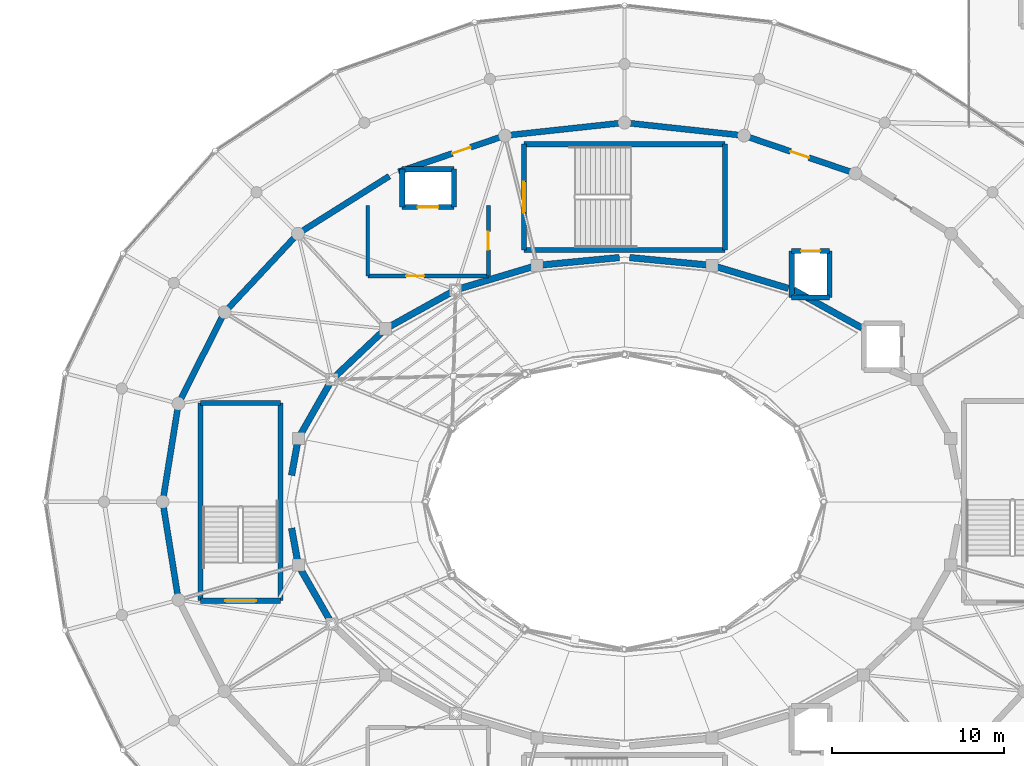
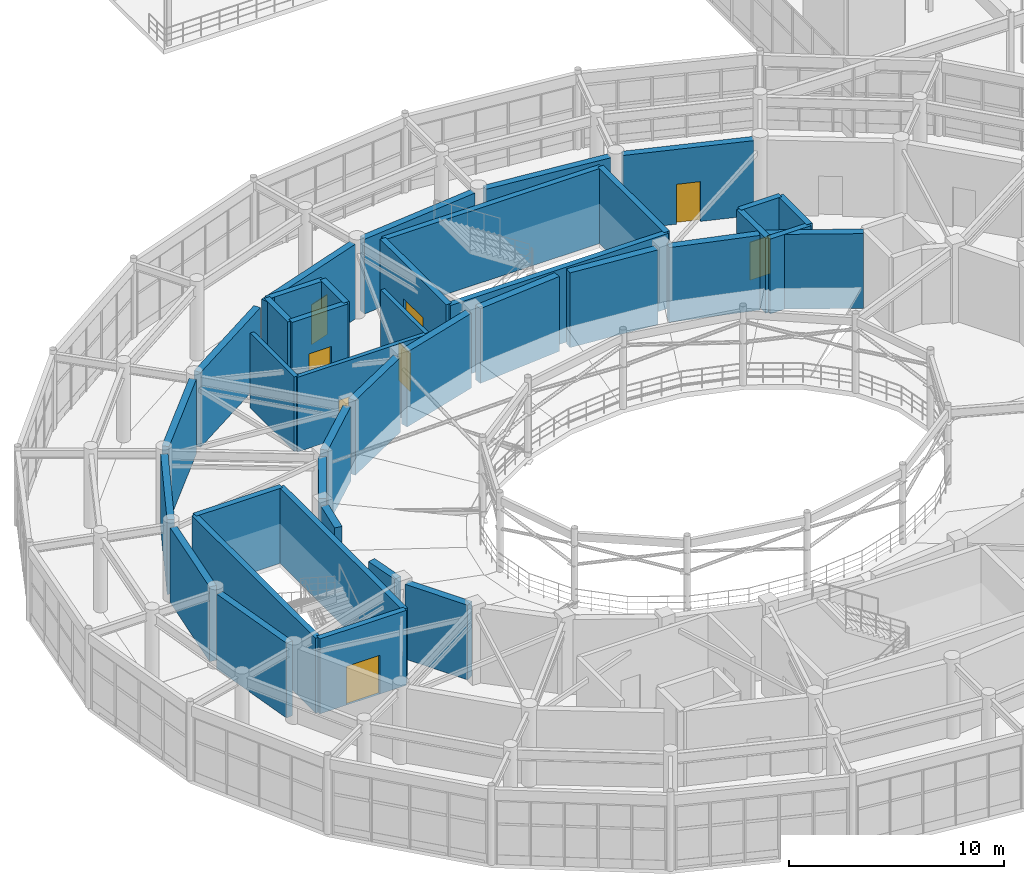
# One storey, part 85 of 112: 39 walls, 8 doors, 8 openings.
"""IFC4 building model written with IfcOpenShell, lengths in metres."""

from ifc_helpers import new_model, si_unit, direction, frame, frame_2d, origin, place, context, subcontext, project, spatial, rectangle, extrude, material, layer, layer_set, type_object, element, fill, save


model = new_model("IFC4")

# Units and contexts
model_context = context("Model", 3, precision=1e-05, world=origin(), true_north=direction((0.0, 1.0)))
body_context = subcontext(model_context, "Body", "Model", "MODEL_VIEW")
ifc_project = project(units=[si_unit("LENGTHUNIT", "METRE"), si_unit("AREAUNIT", "SQUARE_METRE"), si_unit("VOLUMEUNIT", "CUBIC_METRE"), si_unit("PLANEANGLEUNIT", "RADIAN"), si_unit("MASSUNIT", "GRAM", prefix="KILO")], contexts=[model_context])

# Site, building, storey
site_placement = place(None, origin())
site = spatial("IfcSite", under=ifc_project, at=site_placement, CompositionType="ELEMENT")
building_placement = place(site_placement, origin())
building = spatial("IfcBuilding", under=site, at=building_placement, Name="Cinderbank Siding Concert Hall", CompositionType="ELEMENT")
storey_placement = place(building_placement, frame((0.0, 0.0, 10.199951171875)))
storey = spatial("IfcBuildingStorey", under=building, at=storey_placement, Name="L03", CompositionType="ELEMENT", Elevation=10.199951171875)

# Walls
ifc_material_1 = material(Name="Reinforced concrete AS 3600 N50 (50 MPa)", Category="concrete")
ifc_layer_1 = layer(ifc_material_1, 0.3798828125)
ifc_layer_set_1 = layer_set([ifc_layer_1], Name="Reinforced concrete AS 3600 N50 (50 MPa)")
wall_type_1 = type_object("IfcWallType", Name="WL-01 Structural Wall 380mm", PredefinedType="SOLIDWALL", material=ifc_layer_set_1)
wall_1_placement = place(storey_placement, frame((135.77197265625, 54.089599609375, 0.0), z_axis=(0.0, 0.0, 1.0), x_axis=(-0.874028004615, 0.485875546975, 0.0)))
element("IfcWall", 1, at=wall_1_placement, inside=storey, type_object=wall_type_1, Name="L03 Structural Wall SW-E1-L03-04", PredefinedType="SOLIDWALL", context=body_context, shape_type="SweptSolid", body=[
    extrude(rectangle(XDim=4.54443359375, YDim=0.3798828125, at=frame_2d((2.272216796875, 0.0))), origin(), (0.0, 0.0, 1.0), 4.239990234375),
])
wall_2_placement = place(storey_placement, frame((131.5126953125, 56.3837890625, 0.0), z_axis=(0.0, 0.0, 1.0), x_axis=(-0.957796933165, 0.287445707604, 0.0)))
element("IfcWall", 2, at=wall_2_placement, inside=storey, type_object=wall_type_1, Name="L03 Structural Wall SW-E1-L03-05", PredefinedType="SOLIDWALL", context=body_context, shape_type="SweptSolid", body=[
    extrude(rectangle(XDim=4.350341796875, YDim=0.3798828125, at=frame_2d((2.17529296875, 0.0))), origin(), (0.0, 0.0, 1.0), 4.239990234375),
])
for number, where, z_axis, x_axis, name in (
    (3, (126.789306640625, 57.7431640625, 0.0), (0.0, 0.0, 1.0), (-0.995484276796, 0.094926575052, 0.0), "L03 Structural Wall SW-E1-L03-06"),
    (4, (121.701416015625, 58.17138671875, 0.0), (0.0, 0.0, 1.0), (-0.995484276796, -0.094926575052, 0.0), "L03 Structural Wall SW-E1-L03-07"),
):
    element("IfcWall", number, at=place(storey_placement, frame(where, z_axis=z_axis, x_axis=x_axis)), inside=storey, type_object=wall_type_1, Name=name, PredefinedType="SOLIDWALL", context=body_context, shape_type="SweptSolid", body=[
        extrude(rectangle(XDim=4.510986328125, YDim=0.3798828125, at=frame_2d((2.25537109375, 0.0))), origin(), (0.0, 0.0, 1.0), 4.239990234375),
    ])
wall_3_placement = place(storey_placement, frame((116.654052734375, 57.63427734375, 0.0), z_axis=(0.0, 0.0, 1.0), x_axis=(-0.957792414988, -0.287460762177, 0.0)))
element("IfcWall", 5, at=wall_3_placement, inside=storey, type_object=wall_type_1, Name="L03 Structural Wall SW-E1-L03-08", PredefinedType="SOLIDWALL", context=body_context, shape_type="SweptSolid", body=[
    extrude(rectangle(XDim=4.365478515625, YDim=0.3798828125, at=frame_2d((2.1826171875, 0.0))), origin(), (0.0, 0.0, 1.0), 4.239990234375),
])
wall_4_placement = place(storey_placement, frame((111.950927734375, 56.1591796875, 0.0), z_axis=(0.0, 0.0, 1.0), x_axis=(-0.87401308715, -0.485902380618, 0.0)))
element("IfcWall", 6, at=wall_4_placement, inside=storey, type_object=wall_type_1, Name="L03 Structural Wall SW-E1-L03-09", PredefinedType="SOLIDWALL", context=body_context, shape_type="SweptSolid", body=[
    extrude(rectangle(XDim=4.074462890625, YDim=0.3798828125, at=frame_2d((2.037109375, 0.0))), origin(), (0.0, 0.0, 1.0), 4.239990234375),
])
wall_5_placement = place(storey_placement, frame((107.93359375, 53.84521484375, 0.0), z_axis=(0.0, 0.0, 1.0), x_axis=(-0.727127996206, -0.686501913423, 0.0)))
element("IfcWall", 7, at=wall_5_placement, inside=storey, type_object=wall_type_1, Name="L03 Structural Wall SW-E1-L03-10", PredefinedType="SOLIDWALL", context=body_context, shape_type="SweptSolid", body=[
    extrude(rectangle(XDim=3.7138671875, YDim=0.3798828125, at=frame_2d((1.85693359375, 0.0))), origin(), (0.0, 0.0, 1.0), 4.239990234375),
])
wall_6_placement = place(storey_placement, frame((104.884521484375, 50.8525390625, 0.0), z_axis=(0.0, 0.0, 1.0), x_axis=(-0.496318106012, -0.868140736082, 0.0)))
element("IfcWall", 8, at=wall_6_placement, inside=storey, type_object=wall_type_1, Name="L03 Structural Wall SW-E1-L03-11", PredefinedType="SOLIDWALL", context=body_context, shape_type="SweptSolid", body=[
    extrude(rectangle(XDim=3.375, YDim=0.3798828125, at=frame_2d((1.6875, 0.0))), origin(), (0.0, 0.0, 1.0), 4.239990234375),
])
for number, where, z_axis, x_axis, name in (
    (9, (103.016845703125, 47.394775390625, 0.0), (0.0, 0.0, 1.0), (-0.178749049923, -0.983894698203, 0.0), "L03 Structural Wall SW-E1-L03-12"),
    (10, (102.678955078125, 42.465087890625, 0.0), (0.0, 0.0, 1.0), (0.178749049923, -0.983894698203, 0.0), "L03 Structural Wall SW-E1-L03-13"),
):
    element("IfcWall", number, at=place(storey_placement, frame(where, z_axis=z_axis, x_axis=x_axis)), inside=storey, type_object=wall_type_1, Name=name, PredefinedType="SOLIDWALL", context=body_context, shape_type="SweptSolid", body=[
        extrude(rectangle(XDim=1.890380859375, YDim=0.3798828125, at=frame_2d((0.9453125, 0.0))), origin(), (0.0, 0.0, 1.0), 4.239990234375),
    ])
wall_7_placement = place(storey_placement, frame((103.20947265625, 40.077392578125, 0.0), z_axis=(0.0, 0.0, 1.0), x_axis=(0.496318106012, -0.868140736082, 0.0)))
element("IfcWall", 11, at=wall_7_placement, inside=storey, type_object=wall_type_1, Name="L03 Structural Wall SW-E1-L03-14", PredefinedType="SOLIDWALL", context=body_context, shape_type="SweptSolid", body=[
    extrude(rectangle(XDim=3.375, YDim=0.3798828125, at=frame_2d((1.6875, 0.0))), origin(), (0.0, 0.0, 1.0), 4.239990234375),
])

# Wall, opening, door
ifc_layer_2 = layer(ifc_material_1, 0.35009765625)
ifc_layer_set_2 = layer_set([ifc_layer_2], Name="Reinforced concrete AS 3600 N50 (50 MPa)")
wall_type_2 = type_object("IfcWallType", Name="WL-02 Structural Wall 350mm", PredefinedType="SHEAR", material=ifc_layer_set_2)
wall_8_placement = place(storey_placement, frame((135.1064453125, 63.15234375, 0.0), z_axis=(0.0, 0.0, 1.0), x_axis=(-0.946758358714, 0.321945042213, 0.0)))
wall_8 = element("IfcWall", 12, at=wall_8_placement, inside=storey, type_object=wall_type_2, Name="L03 Structural Wall SW-E2-L03-05", PredefinedType="SHEAR", context=body_context, shape_type="SweptSolid", body=[
    extrude(rectangle(XDim=6.20703125, YDim=0.35009765625, at=frame_2d((3.103515625, 0.0))), origin(), (0.0, 0.0, 1.0), 4.239990234375),
])
opening_1_placement = place(wall_8_placement, frame((2.54345703125, 0.0, 0.0)))
opening_1 = element("IfcOpeningElement", 13, at=opening_1_placement, cuts=wall_8, Name="Opening D-19", PredefinedType="OPENING", context=body_context, shape_type="SweptSolid", body=[
    extrude(rectangle(XDim=1.1201171875, YDim=2.260009765625, at=frame_2d((0.56005859375, 1.1298828125))), frame((0.0, 0.18701171875, 0.0), z_axis=(0.0, -1.0, 0.0), x_axis=(1.0, 0.0, 0.0)), (0.0, 0.0, 1.0), 0.3740234375),
])
ifc_material_2 = material(Name="Solid-core spotted gum acoustic timber", Category="wood")
door_type_1 = type_object("IfcDoorType", Name="D-19 Interior Door 1120x2260", OperationType="NOTDEFINED", PredefinedType="DOOR", material=ifc_material_2)
door_1_placement = place(opening_1_placement, origin())
door_1 = element("IfcDoor", 14, at=door_1_placement, inside=storey, type_object=door_type_1, Name="L03 Auditorium Sound-Lock Door L03-D146", OperationType="SINGLE_SWING_LEFT", OverallHeight=2.260009765625, OverallWidth=1.1201171875, PredefinedType="DOOR", context=body_context, shape_type="SweptSolid", body=[
    extrude(rectangle(XDim=1.1201171875, YDim=2.260009765625, at=frame_2d((0.56005859375, 1.1298828125))), frame((0.0, 0.02490234375, 0.0), z_axis=(0.0, -1.0, 0.0), x_axis=(1.0, 0.0, 0.0)), (0.0, 0.0, 1.0), 0.050048828125),
])
fill(opening_1, door_1)

# Walls
for number, where, z_axis, x_axis, name in (
    (15, (128.628173828125, 65.28369140625, 0.0), (0.0, 0.0, 1.0), (-0.99420948753, 0.107459270912, 0.0), "L03 Structural Wall SW-E2-L03-06"),
    (16, (121.69189453125, 65.966796875, 0.0), (0.0, 0.0, 1.0), (-0.99420948753, -0.107459270912, 0.0), "L03 Structural Wall SW-E2-L03-07"),
):
    element("IfcWall", number, at=place(storey_placement, frame(where, z_axis=z_axis, x_axis=x_axis)), inside=storey, type_object=wall_type_2, Name=name, PredefinedType="SHEAR", context=body_context, shape_type="SweptSolid", body=[
        extrude(rectangle(XDim=6.35693359375, YDim=0.35009765625, at=frame_2d((3.178466796875, 0.0))), origin(), (0.0, 0.0, 1.0), 4.239990234375),
    ])

# Wall, opening, door
wall_9_placement = place(storey_placement, frame((114.77001953125, 65.150634765625, 0.0), z_axis=(0.0, 0.0, 1.0), x_axis=(-0.946761494057, -0.321935821821, 0.0)))
wall_9 = element("IfcWall", 17, at=wall_9_placement, inside=storey, type_object=wall_type_2, Name="L03 Structural Wall SW-E2-L03-08", PredefinedType="SHEAR", context=body_context, shape_type="SweptSolid", body=[
    extrude(rectangle(XDim=6.217041015625, YDim=0.35009765625, at=frame_2d((3.1083984375, 0.0))), origin(), (0.0, 0.0, 1.0), 4.239990234375),
])
opening_2_placement = place(wall_9_placement, frame((1.798583984375, 0.0, 0.0)))
opening_2 = element("IfcOpeningElement", 18, at=opening_2_placement, cuts=wall_9, Name="Opening D-19", PredefinedType="OPENING", context=body_context, shape_type="SweptSolid", body=[
    extrude(rectangle(XDim=1.1201171875, YDim=2.260009765625, at=frame_2d((0.56005859375, 1.1298828125))), frame((0.0, 0.18701171875, 0.0), z_axis=(0.0, -1.0, 0.0), x_axis=(1.0, 0.0, 0.0)), (0.0, 0.0, 1.0), 0.3740234375),
])
door_2_placement = place(opening_2_placement, origin())
door_2 = element("IfcDoor", 19, at=door_2_placement, inside=storey, type_object=door_type_1, Name="L03 Auditorium Sound-Lock Door L03-D147", OperationType="SINGLE_SWING_RIGHT", OverallHeight=2.260009765625, OverallWidth=1.1201171875, PredefinedType="DOOR", context=body_context, shape_type="SweptSolid", body=[
    extrude(rectangle(XDim=1.1201171875, YDim=2.260009765625, at=frame_2d((0.56005859375, 1.1298828125))), frame((0.0, 0.02490234375, 0.0), z_axis=(0.0, -1.0, 0.0), x_axis=(1.0, 0.0, 0.0)), (0.0, 0.0, 1.0), 0.050048828125),
])
fill(opening_2, door_2)

# Walls
wall_10_placement = place(storey_placement, frame((108.34619140625, 62.892578125, 0.0), z_axis=(0.0, 0.0, 1.0), x_axis=(-0.846132783073, -0.532972150688, 0.0)))
element("IfcWall", 20, at=wall_10_placement, inside=storey, type_object=wall_type_2, Name="L03 Structural Wall SW-E2-L03-09", PredefinedType="SHEAR", context=body_context, shape_type="SweptSolid", body=[
    extrude(rectangle(XDim=5.949951171875, YDim=0.35009765625, at=frame_2d((2.97509765625, 0.0))), origin(), (0.0, 0.0, 1.0), 4.239990234375),
])
wall_11_placement = place(storey_placement, frame((102.837890625, 59.329833984375, 0.0), z_axis=(0.0, 0.0, 1.0), x_axis=(-0.682886399388, -0.730524582427, 0.0)))
element("IfcWall", 21, at=wall_11_placement, inside=storey, type_object=wall_type_2, Name="L03 Structural Wall SW-E2-L03-10", PredefinedType="SHEAR", context=body_context, shape_type="SweptSolid", body=[
    extrude(rectangle(XDim=5.616943359375, YDim=0.35009765625, at=frame_2d((2.80859375, 0.0))), origin(), (0.0, 0.0, 1.0), 4.239990234375),
])
wall_12_placement = place(storey_placement, frame((98.65087890625, 54.72314453125, 0.0), z_axis=(0.0, 0.0, 1.0), x_axis=(-0.450512686904, -0.892770025784, 0.0)))
element("IfcWall", 22, at=wall_12_placement, inside=storey, type_object=wall_type_2, Name="L03 Structural Wall SW-E2-L03-11", PredefinedType="SHEAR", context=body_context, shape_type="SweptSolid", body=[
    extrude(rectangle(XDim=5.3232421875, YDim=0.35009765625, at=frame_2d((2.66162109375, 0.0))), origin(), (0.0, 0.0, 1.0), 4.239990234375),
])
for number, where, z_axis, x_axis, name in (
    (23, (96.064208984375, 49.387939453125, 0.0), (0.0, 0.0, 1.0), (-0.158388253677, -0.98737690934, 0.0), "L03 Structural Wall SW-E2-L03-12"),
    (24, (95.2490234375, 43.69384765625, 0.0), (0.0, 0.0, 1.0), (0.158388253677, -0.98737690934, 0.0), "L03 Structural Wall SW-E2-L03-13"),
):
    element("IfcWall", number, at=place(storey_placement, frame(where, z_axis=z_axis, x_axis=x_axis)), inside=storey, type_object=wall_type_2, Name=name, PredefinedType="SHEAR", context=body_context, shape_type="SweptSolid", body=[
        extrude(rectangle(XDim=5.146728515625, YDim=0.35009765625, at=frame_2d((2.5732421875, 0.0))), origin(), (0.0, 0.0, 1.0), 4.239990234375),
    ])

# Wall, opening, door
ifc_layer_3 = layer(ifc_material_1, 0.300048828125)
ifc_layer_set_3 = layer_set([ifc_layer_3], Name="Reinforced concrete AS 3600 N50 (50 MPa)")
wall_type_3 = type_object("IfcWallType", Name="WL-03 Structural Wall 300mm", PredefinedType="SHEAR", material=ifc_layer_set_3)
wall_13_placement = place(storey_placement, frame((116.159912109375, 58.610107421875, 0.0), z_axis=(0.0, 0.0, 1.0), x_axis=(0.0, 1.0, 0.0)))
wall_13 = element("IfcWall", 25, at=wall_13_placement, inside=storey, type_object=wall_type_3, Name="L03 ST-01 Core Wall ENTRY", PredefinedType="SHEAR", context=body_context, shape_type="SweptSolid", body=[
    extrude(rectangle(XDim=6.139892578125, YDim=0.300048828125, at=frame_2d((3.06982421875, 0.0))), origin(), (0.0, 0.0, 1.0), 4.25),
])
opening_3_placement = place(wall_13_placement, frame((2.169921875, 0.0, 0.0)))
opening_3 = element("IfcOpeningElement", 26, at=opening_3_placement, cuts=wall_13, Name="Opening D-05", PredefinedType="OPENING", context=body_context, shape_type="SweptSolid", body=[
    extrude(rectangle(XDim=1.800048828125, YDim=2.199951171875, at=frame_2d((0.89990234375, 1.10009765625))), frame((0.0, 0.162109375, 0.0), z_axis=(0.0, -1.0, 0.0), x_axis=(1.0, 0.0, 0.0)), (0.0, 0.0, 1.0), 0.323974609375),
])
ifc_material_3 = material(Name="Galvanised sheet steel acoustic fire door assembly", Category="steel")
door_type_2 = type_object("IfcDoorType", Name="D-05 Interior Door 1800x2200", OperationType="DOUBLE_DOOR_SINGLE_SWING", PredefinedType="DOOR", material=ifc_material_3)
door_3_placement = place(opening_3_placement, origin())
door_3 = element("IfcDoor", 27, at=door_3_placement, inside=storey, type_object=door_type_2, Name="L03 ST-01 Fire Stair Door L03-D004", OperationType="DOUBLE_DOOR_SINGLE_SWING", OverallHeight=2.199951171875, OverallWidth=1.800048828125, PredefinedType="DOOR", context=body_context, shape_type="SweptSolid", body=[
    extrude(rectangle(XDim=1.800048828125, YDim=2.199951171875, at=frame_2d((0.89990234375, 1.10009765625))), frame((0.0, 0.02490234375, 0.0), z_axis=(0.0, -1.0, 0.0), x_axis=(1.0, 0.0, 0.0)), (0.0, 0.0, 1.0), 0.050048828125),
])
fill(opening_3, door_3)

# Walls
wall_14_placement = place(storey_placement, frame((127.840087890625, 64.75, 0.0), z_axis=(0.0, 0.0, 1.0), x_axis=(0.0, -1.0, 0.0)))
element("IfcWall", 28, at=wall_14_placement, inside=storey, type_object=wall_type_3, Name="L03 ST-01 Core Wall FAR", PredefinedType="SHEAR", context=body_context, shape_type="SweptSolid", body=[
    extrude(rectangle(XDim=6.139892578125, YDim=0.300048828125, at=frame_2d((3.06982421875, 0.0))), origin(), (0.0, 0.0, 1.0), 4.25),
])
for number, where, z_axis, x_axis, name in (
    (29, (127.840087890625, 58.610107421875, 0.0), (0.0, 0.0, 1.0), (-1.0, 0.0, 0.0), "L03 ST-01 Core Wall SIDE1"),
    (30, (116.159912109375, 64.75, 0.0), (0.0, 0.0, 1.0), (1.0, 0.0, 0.0), "L03 ST-01 Core Wall SIDE2"),
):
    element("IfcWall", number, at=place(storey_placement, frame(where, z_axis=z_axis, x_axis=x_axis)), inside=storey, type_object=wall_type_3, Name=name, PredefinedType="SHEAR", context=body_context, shape_type="SweptSolid", body=[
        extrude(rectangle(XDim=11.68017578125, YDim=0.300048828125, at=frame_2d((5.840087890625, 0.0))), origin(), (0.0, 0.0, 1.0), 4.25),
    ])

# Wall, opening, door
wall_15_placement = place(storey_placement, frame((102.0400390625, 38.260009765625, 0.0), z_axis=(0.0, 0.0, 1.0), x_axis=(-1.0, 0.0, 0.0)))
wall_15 = element("IfcWall", 31, at=wall_15_placement, inside=storey, type_object=wall_type_3, Name="L03 ST-04 Core Wall ENTRY", PredefinedType="SHEAR", context=body_context, shape_type="SweptSolid", body=[
    extrude(rectangle(XDim=4.64013671875, YDim=0.300048828125, at=frame_2d((2.320068359375, 0.0))), origin(), (0.0, 0.0, 1.0), 4.25),
])
opening_4_placement = place(wall_15_placement, frame((1.419921875, 0.0, 0.0)))
opening_4 = element("IfcOpeningElement", 32, at=opening_4_placement, cuts=wall_15, Name="Opening D-05", PredefinedType="OPENING", context=body_context, shape_type="SweptSolid", body=[
    extrude(rectangle(XDim=1.800048828125, YDim=2.199951171875, at=frame_2d((0.89990234375, 1.10009765625))), frame((0.0, 0.162109375, 0.0), z_axis=(0.0, -1.0, 0.0), x_axis=(1.0, 0.0, 0.0)), (0.0, 0.0, 1.0), 0.323974609375),
])
door_4_placement = place(opening_4_placement, origin())
door_4 = element("IfcDoor", 33, at=door_4_placement, inside=storey, type_object=door_type_2, Name="L03 ST-04 Fire Stair Door L03-D025", OperationType="DOUBLE_DOOR_SINGLE_SWING", OverallHeight=2.199951171875, OverallWidth=1.800048828125, PredefinedType="DOOR", context=body_context, shape_type="SweptSolid", body=[
    extrude(rectangle(XDim=1.800048828125, YDim=2.199951171875, at=frame_2d((0.89990234375, 1.10009765625))), frame((0.0, 0.02490234375, 0.0), z_axis=(0.0, -1.0, 0.0), x_axis=(1.0, 0.0, 0.0)), (0.0, 0.0, 1.0), 0.050048828125),
])
fill(opening_4, door_4)

# Walls
wall_16_placement = place(storey_placement, frame((97.39990234375, 49.739990234375, 0.0), z_axis=(0.0, 0.0, 1.0), x_axis=(1.0, 0.0, 0.0)))
element("IfcWall", 34, at=wall_16_placement, inside=storey, type_object=wall_type_3, Name="L03 ST-04 Core Wall FAR", PredefinedType="SHEAR", context=body_context, shape_type="SweptSolid", body=[
    extrude(rectangle(XDim=4.64013671875, YDim=0.300048828125, at=frame_2d((2.320068359375, 0.0))), origin(), (0.0, 0.0, 1.0), 4.25),
])
for number, where, z_axis, x_axis, name in (
    (35, (102.0400390625, 49.739990234375, 0.0), (0.0, 0.0, 1.0), (0.0, -1.0, 0.0), "L03 ST-04 Core Wall SIDE1"),
    (36, (97.39990234375, 38.260009765625, 0.0), (0.0, 0.0, 1.0), (0.0, 1.0, 0.0), "L03 ST-04 Core Wall SIDE2"),
):
    element("IfcWall", number, at=place(storey_placement, frame(where, z_axis=z_axis, x_axis=x_axis)), inside=storey, type_object=wall_type_3, Name=name, PredefinedType="SHEAR", context=body_context, shape_type="SweptSolid", body=[
        extrude(rectangle(XDim=11.47998046875, YDim=0.300048828125, at=frame_2d((5.739990234375, 0.0))), origin(), (0.0, 0.0, 1.0), 4.25),
    ])
wall_17_placement = place(storey_placement, frame((133.89990234375, 55.85009765625, 0.0), z_axis=(0.0, 0.0, 1.0), x_axis=(-1.0, 0.0, 0.0)))
element("IfcWall", 37, at=wall_17_placement, inside=storey, type_object=wall_type_3, Name="L03 LF-01 Shaft Wall -Y", PredefinedType="SHEAR", context=body_context, shape_type="SweptSolid", body=[
    extrude(rectangle(XDim=2.199951171875, YDim=0.300048828125, at=frame_2d((1.10009765625, 0.0))), origin(), (0.0, 0.0, 1.0), 4.239990234375),
])
wall_18_placement = place(storey_placement, frame((133.89990234375, 58.550048828125, 0.0), z_axis=(0.0, 0.0, 1.0), x_axis=(0.0, -1.0, 0.0)))
element("IfcWall", 38, at=wall_18_placement, inside=storey, type_object=wall_type_3, Name="L03 LF-01 Shaft Wall +X", PredefinedType="SHEAR", context=body_context, shape_type="SweptSolid", body=[
    extrude(rectangle(XDim=2.699951171875, YDim=0.300048828125, at=frame_2d((1.35009765625, 0.0))), origin(), (0.0, 0.0, 1.0), 4.25),
])

# Wall, opening, door
wall_19_placement = place(storey_placement, frame((131.699951171875, 58.550048828125, 0.0), z_axis=(0.0, 0.0, 1.0), x_axis=(1.0, 0.0, 0.0)))
wall_19 = element("IfcWall", 39, at=wall_19_placement, inside=storey, type_object=wall_type_3, Name="L03 LF-01 Shaft Wall +Y", PredefinedType="SHEAR", context=body_context, shape_type="SweptSolid", body=[
    extrude(rectangle(XDim=2.199951171875, YDim=0.300048828125, at=frame_2d((1.10009765625, 0.0))), origin(), (0.0, 0.0, 1.0), 4.25),
])
opening_5_placement = place(wall_19_placement, frame((0.550048828125, 0.0, 0.0)))
opening_5 = element("IfcOpeningElement", 40, at=opening_5_placement, cuts=wall_19, Name="Opening LD-01", PredefinedType="OPENING", context=body_context, shape_type="SweptSolid", body=[
    extrude(rectangle(XDim=1.10009765625, YDim=2.14990234375, at=frame_2d((0.550048828125, 1.074951171875))), frame((0.0, 0.162109375, 0.0), z_axis=(0.0, -1.0, 0.0), x_axis=(1.0, 0.0, 0.0)), (0.0, 0.0, 1.0), 0.323974609375),
])
door_type_3 = type_object("IfcDoorType", Name="LD-01 Interior Door 1100x2150", OperationType="DOUBLE_DOOR_SLIDING", PredefinedType="DOOR", material=ifc_material_3)
door_5_placement = place(opening_5_placement, origin())
door_5 = element("IfcDoor", 41, at=door_5_placement, inside=storey, type_object=door_type_3, Name="L03 LF-01 Sliding Landing Door", OperationType="DOUBLE_DOOR_SLIDING", OverallHeight=2.14990234375, OverallWidth=1.10009765625, PredefinedType="DOOR", context=body_context, shape_type="SweptSolid", body=[
    extrude(rectangle(XDim=1.10009765625, YDim=2.14990234375, at=frame_2d((0.550048828125, 1.074951171875))), frame((0.0, 0.02490234375, 0.0), z_axis=(0.0, -1.0, 0.0), x_axis=(1.0, 0.0, 0.0)), (0.0, 0.0, 1.0), 0.050048828125),
])
fill(opening_5, door_5)

# Wall
wall_20_placement = place(storey_placement, frame((131.699951171875, 55.85009765625, 0.0), z_axis=(0.0, 0.0, 1.0), x_axis=(0.0, 1.0, 0.0)))
element("IfcWall", 42, at=wall_20_placement, inside=storey, type_object=wall_type_3, Name="L03 LF-01 Shaft Wall -X", PredefinedType="SHEAR", context=body_context, shape_type="SweptSolid", body=[
    extrude(rectangle(XDim=2.699951171875, YDim=0.300048828125, at=frame_2d((1.35009765625, 0.0))), origin(), (0.0, 0.0, 1.0), 4.239990234375),
])

# Wall, opening, door
wall_21_placement = place(storey_placement, frame((112.10009765625, 61.10009765625, 0.0), z_axis=(0.0, 0.0, 1.0), x_axis=(-1.0, 0.0, 0.0)))
wall_21 = element("IfcWall", 43, at=wall_21_placement, inside=storey, type_object=wall_type_3, Name="L03 LF-04 Shaft Wall -Y", PredefinedType="SHEAR", context=body_context, shape_type="SweptSolid", body=[
    extrude(rectangle(XDim=3.0, YDim=0.300048828125, at=frame_2d((1.5, 0.0))), origin(), (0.0, 0.0, 1.0), 4.25),
])
opening_6_placement = place(wall_21_placement, frame((0.89990234375, 0.0, 0.0)))
opening_6 = element("IfcOpeningElement", 44, at=opening_6_placement, cuts=wall_21, Name="Opening LD-02", PredefinedType="OPENING", context=body_context, shape_type="SweptSolid", body=[
    extrude(rectangle(XDim=1.199951171875, YDim=2.14990234375, at=frame_2d((0.60009765625, 1.074951171875))), frame((0.0, 0.162109375, 0.0), z_axis=(0.0, -1.0, 0.0), x_axis=(1.0, 0.0, 0.0)), (0.0, 0.0, 1.0), 0.323974609375),
])
door_type_4 = type_object("IfcDoorType", Name="LD-02 Interior Door 1200x2150", OperationType="DOUBLE_DOOR_SLIDING", PredefinedType="DOOR", material=ifc_material_3)
door_6_placement = place(opening_6_placement, origin())
door_6 = element("IfcDoor", 45, at=door_6_placement, inside=storey, type_object=door_type_4, Name="L03 LF-04 Sliding Landing Door", OperationType="DOUBLE_DOOR_SLIDING", OverallHeight=2.14990234375, OverallWidth=1.199951171875, PredefinedType="DOOR", context=body_context, shape_type="SweptSolid", body=[
    extrude(rectangle(XDim=1.199951171875, YDim=2.14990234375, at=frame_2d((0.60009765625, 1.074951171875))), frame((0.0, 0.02490234375, 0.0), z_axis=(0.0, -1.0, 0.0), x_axis=(1.0, 0.0, 0.0)), (0.0, 0.0, 1.0), 0.050048828125),
])
fill(opening_6, door_6)

# Walls
wall_22_placement = place(storey_placement, frame((112.10009765625, 63.300048828125, 0.0), z_axis=(0.0, 0.0, 1.0), x_axis=(0.0, -1.0, 0.0)))
element("IfcWall", 46, at=wall_22_placement, inside=storey, type_object=wall_type_3, Name="L03 LF-04 Shaft Wall +X", PredefinedType="SHEAR", context=body_context, shape_type="SweptSolid", body=[
    extrude(rectangle(XDim=2.199951171875, YDim=0.300048828125, at=frame_2d((1.10009765625, 0.0))), origin(), (0.0, 0.0, 1.0), 4.25),
])
wall_23_placement = place(storey_placement, frame((109.10009765625, 63.300048828125, 0.0), z_axis=(0.0, 0.0, 1.0), x_axis=(1.0, 0.0, 0.0)))
element("IfcWall", 47, at=wall_23_placement, inside=storey, type_object=wall_type_3, Name="L03 LF-04 Shaft Wall +Y", PredefinedType="SHEAR", context=body_context, shape_type="SweptSolid", body=[
    extrude(rectangle(XDim=3.0, YDim=0.300048828125, at=frame_2d((1.5, 0.0))), origin(), (0.0, 0.0, 1.0), 4.239990234375),
])
wall_24_placement = place(storey_placement, frame((109.10009765625, 61.10009765625, 0.0), z_axis=(0.0, 0.0, 1.0), x_axis=(0.0, 1.0, 0.0)))
element("IfcWall", 48, at=wall_24_placement, inside=storey, type_object=wall_type_3, Name="L03 LF-04 Shaft Wall -X", PredefinedType="SHEAR", context=body_context, shape_type="SweptSolid", body=[
    extrude(rectangle(XDim=2.199951171875, YDim=0.300048828125, at=frame_2d((1.10009765625, 0.0))), origin(), (0.0, 0.0, 1.0), 4.239990234375),
])

# Wall, opening, door
ifc_layer_4 = layer(ifc_material_1, 0.219970703125)
ifc_layer_set_4 = layer_set([ifc_layer_4], Name="Reinforced concrete AS 3600 N50 (50 MPa)")
wall_type_4 = type_object("IfcWallType", Name="WL-06 Interior Wall 220mm", PredefinedType="SOLIDWALL", material=ifc_layer_set_4)
wall_25_placement = place(storey_placement, frame((114.10009765625, 57.10009765625, 0.0), z_axis=(0.0, 0.0, 1.0), x_axis=(-1.0, 0.0, 0.0)))
wall_25 = element("IfcWall", 49, at=wall_25_placement, inside=storey, type_object=wall_type_4, Name="L03 Firefighting Lobby Wall FFLN-S", PredefinedType="SOLIDWALL", context=body_context, shape_type="SweptSolid", body=[
    extrude(rectangle(XDim=7.0, YDim=0.219970703125, at=frame_2d((3.5, 0.0))), origin(), (0.0, 0.0, 1.0), 4.235107421875),
])
opening_7_placement = place(wall_25_placement, frame((3.72509765625, 0.0, 0.0)))
opening_7 = element("IfcOpeningElement", 50, at=opening_7_placement, cuts=wall_25, Name="Opening D-02", PredefinedType="OPENING", context=body_context, shape_type="SweptSolid", body=[
    extrude(rectangle(XDim=1.050048828125, YDim=2.14990234375, at=frame_2d((0.52490234375, 1.074951171875))), frame((0.0, 0.1220703125, 0.0), z_axis=(0.0, -1.0, 0.0), x_axis=(1.0, 0.0, 0.0)), (0.0, 0.0, 1.0), 0.243896484375),
])
door_type_5 = type_object("IfcDoorType", Name="D-02 Interior Door 1050x2150", OperationType="NOTDEFINED", PredefinedType="DOOR", material=ifc_material_3)
door_7_placement = place(opening_7_placement, origin())
door_7 = element("IfcDoor", 51, at=door_7_placement, inside=storey, type_object=door_type_5, Name="L03 Firefighting Lobby Door L03-D074", OperationType="SINGLE_SWING_LEFT", OverallHeight=2.14990234375, OverallWidth=1.050048828125, PredefinedType="DOOR", context=body_context, shape_type="SweptSolid", body=[
    extrude(rectangle(XDim=1.050048828125, YDim=2.14990234375, at=frame_2d((0.52490234375, 1.074951171875))), frame((0.0, 0.02490234375, 0.0), z_axis=(0.0, -1.0, 0.0), x_axis=(1.0, 0.0, 0.0)), (0.0, 0.0, 1.0), 0.050048828125),
])
fill(opening_7, door_7)

# Wall
wall_26_placement = place(storey_placement, frame((107.10009765625, 57.10009765625, 0.0), z_axis=(0.0, 0.0, 1.0), x_axis=(0.0, 1.0, 0.0)))
element("IfcWall", 52, at=wall_26_placement, inside=storey, type_object=wall_type_4, Name="L03 Firefighting Lobby Wall FFLN-W", PredefinedType="SOLIDWALL", context=body_context, shape_type="SweptSolid", body=[
    extrude(rectangle(XDim=4.099853515625, YDim=0.219970703125, at=frame_2d((2.0498046875, 0.0))), origin(), (0.0, 0.0, 1.0), 4.235107421875),
])

# Wall, opening, door
wall_27_placement = place(storey_placement, frame((114.10009765625, 61.199951171875, 0.0), z_axis=(0.0, 0.0, 1.0), x_axis=(0.0, -1.0, 0.0)))
wall_27 = element("IfcWall", 53, at=wall_27_placement, inside=storey, type_object=wall_type_4, Name="L03 Firefighting Lobby Wall FFLN-E", PredefinedType="SOLIDWALL", context=body_context, shape_type="SweptSolid", body=[
    extrude(rectangle(XDim=4.099853515625, YDim=0.219970703125, at=frame_2d((2.0498046875, 0.0))), origin(), (0.0, 0.0, 1.0), 4.235107421875),
])
opening_8_placement = place(wall_27_placement, frame((1.52490234375, 0.0, 0.0)))
opening_8 = element("IfcOpeningElement", 54, at=opening_8_placement, cuts=wall_27, Name="Opening D-02", PredefinedType="OPENING", context=body_context, shape_type="SweptSolid", body=[
    extrude(rectangle(XDim=1.050048828125, YDim=2.14990234375, at=frame_2d((0.52490234375, 1.074951171875))), frame((0.0, 0.1220703125, 0.0), z_axis=(0.0, -1.0, 0.0), x_axis=(1.0, 0.0, 0.0)), (0.0, 0.0, 1.0), 0.243896484375),
])
door_8_placement = place(opening_8_placement, origin())
door_8 = element("IfcDoor", 55, at=door_8_placement, inside=storey, type_object=door_type_5, Name="L03 Firefighting Lobby Door L03-D075", OperationType="SINGLE_SWING_RIGHT", OverallHeight=2.14990234375, OverallWidth=1.050048828125, PredefinedType="DOOR", context=body_context, shape_type="SweptSolid", body=[
    extrude(rectangle(XDim=1.050048828125, YDim=2.14990234375, at=frame_2d((0.52490234375, 1.074951171875))), frame((0.0, 0.02490234375, 0.0), z_axis=(0.0, -1.0, 0.0), x_axis=(1.0, 0.0, 0.0)), (0.0, 0.0, 1.0), 0.050048828125),
])
fill(opening_8, door_8)

save(model, "model.ifc")
